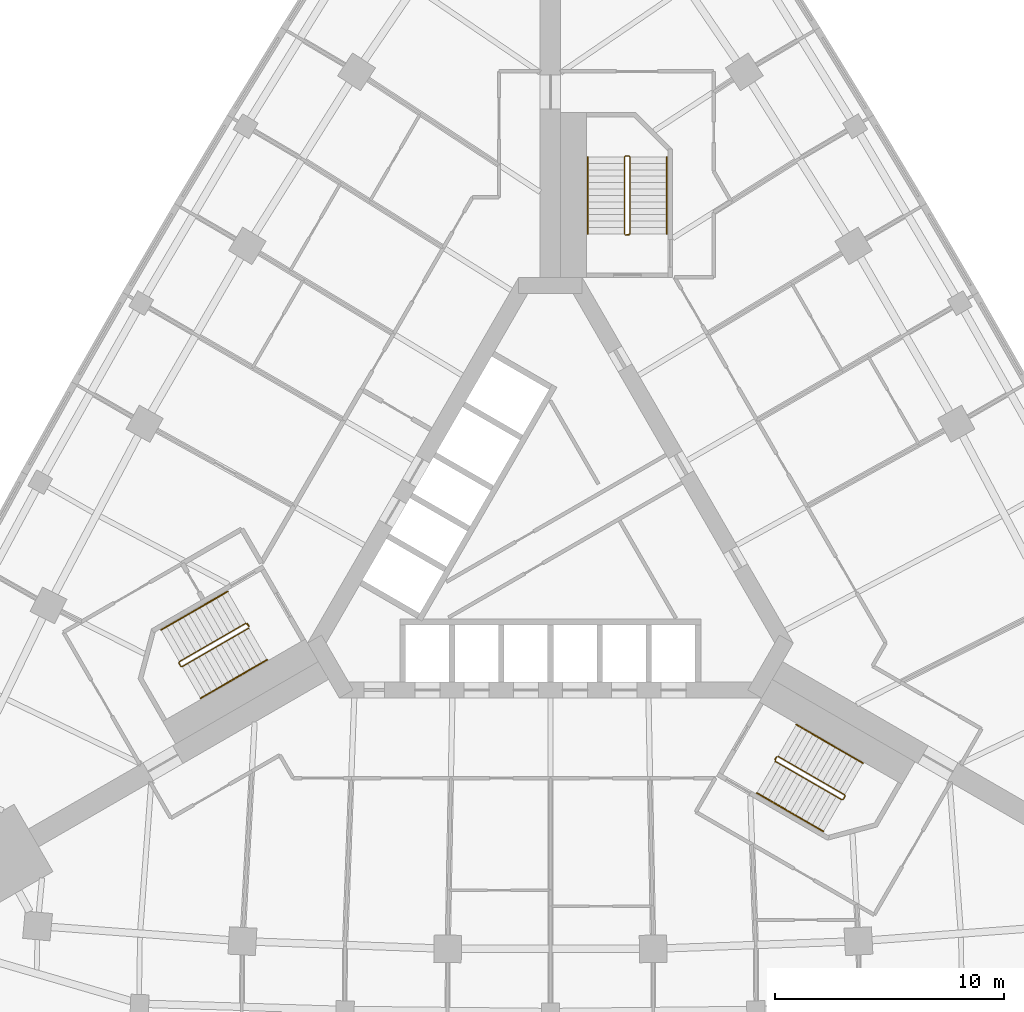
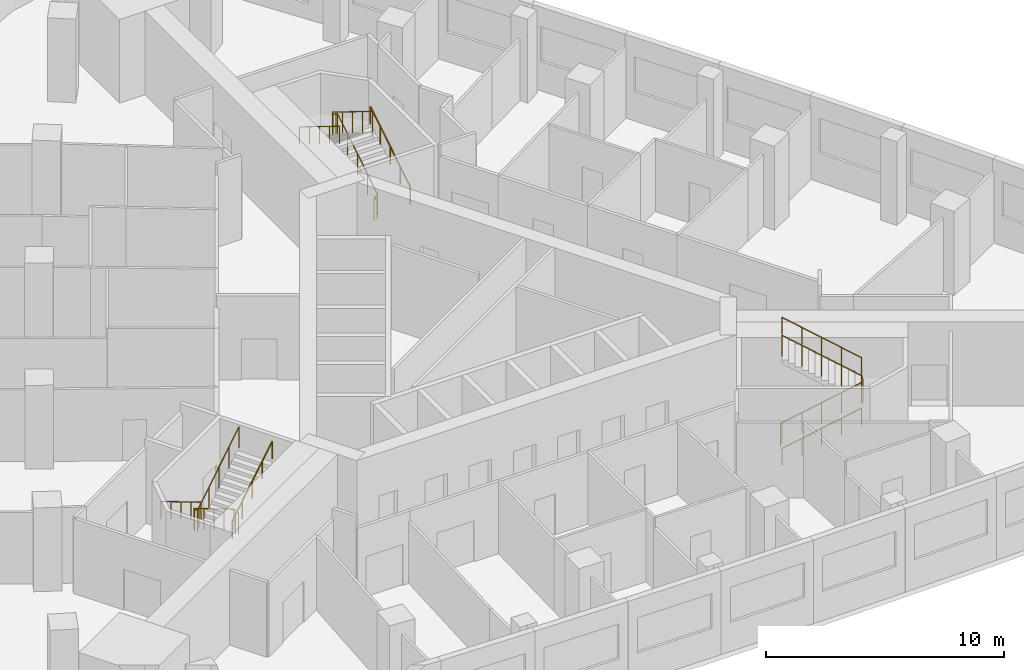
# One storey, part 11 of 11: 9 railings.
"""IFC4 building model written with IfcOpenShell, lengths in metres."""

from ifc_helpers import new_model, si_unit, direction, frame, origin, origin_2d, place, context, subcontext, project, spatial, circle, extrude, material, type_object, element, save


model = new_model("IFC4")

# Units and contexts
model_context = context("Model", 3, precision=1e-05, world=origin(), true_north=direction((0.0, 1.0)))
body_context = subcontext(model_context, "Body", "Model", "MODEL_VIEW")
ifc_project = project(units=[si_unit("LENGTHUNIT", "METRE"), si_unit("AREAUNIT", "SQUARE_METRE"), si_unit("VOLUMEUNIT", "CUBIC_METRE"), si_unit("PLANEANGLEUNIT", "RADIAN"), si_unit("MASSUNIT", "GRAM", prefix="KILO")], contexts=[model_context])

# Site, building, storey
site_placement = place(None, origin())
site = spatial("IfcSite", under=ifc_project, at=site_placement, CompositionType="ELEMENT")
building_placement = place(site_placement, origin())
building = spatial("IfcBuilding", under=site, at=building_placement, Name="Noor Cloister Tower", CompositionType="ELEMENT")
storey_placement = place(building_placement, frame((0.0, 0.0, 19.5)))
storey = spatial("IfcBuildingStorey", under=building, at=storey_placement, Name="L04", CompositionType="ELEMENT", Elevation=19.5)

# Railings
ifc_material_1 = material(Name="Stainless steel", Category="steel")
railing_type_1 = type_object("IfcRailingType", Name="Stair guard 1100", PredefinedType="GUARDRAIL", material=ifc_material_1)
railing_1_placement = place(storey_placement, frame((3.435546875, 13.306396484375, 0.0)))
element("IfcRailing", 1, at=railing_1_placement, inside=storey, type_object=railing_type_1, Name="Stair guard ST1 L04", PredefinedType="GUARDRAIL", context=body_context, shape_type="SweptSolid", body=[
    extrude(circle(Radius=0.02392578125, at=origin_2d()), frame((0.0, 0.0, 1.076171875), z_axis=(-1.0, 0.0, 0.0), x_axis=(0.0, -1.0, 0.0)), (0.0, 0.0, 1.0), 0.14990234375),
    extrude(circle(Radius=0.02392578125, at=origin_2d()), frame((-0.14990234375, 0.0, 1.076171875), z_axis=(0.742869136974, 0.185944045274, 0.643094283413), x_axis=(-0.242814311512, 0.970072785993, 0.0)), (0.0, 0.0, 1.0), 0.26904296875),
    extrude(circle(Radius=0.02392578125, at=origin_2d()), frame((0.050048828125, 0.050048828125, 1.2490234375), z_axis=(0.0, 0.850606129759, 0.525803396734), x_axis=(-1.0, 0.0, 0.0)), (0.0, 0.0, 1.0), 3.949951171875),
    extrude(circle(Radius=0.02392578125, at=origin_2d()), frame((0.050048828125, 3.409912109375, 3.326171875), z_axis=(-0.707106781187, 0.707106781187, 0.0), x_axis=(-0.707106781187, -0.707106781187, 0.0)), (0.0, 0.0, 1.0), 0.07080078125),
    extrude(circle(Radius=0.02392578125, at=origin_2d()), frame((0.0, 3.4599609375, 3.326171875), z_axis=(-1.0, 0.0, 0.0), x_axis=(0.0, -1.0, 0.0)), (0.0, 0.0, 1.0), 0.14990234375),
    extrude(circle(Radius=0.02392578125, at=origin_2d()), frame((-0.14990234375, 3.4599609375, 3.326171875), z_axis=(-0.267629722418, -0.267629722418, 0.925607186314), x_axis=(0.707106781187, -0.707106781187, 0.0)), (0.0, 0.0, 1.0), 0.18701171875),
    extrude(circle(Radius=0.02392578125, at=origin_2d()), frame((-0.199951171875, 3.409912109375, 3.4990234375), z_axis=(0.0, -0.850606129759, 0.525803396734), x_axis=(1.0, 0.0, 0.0)), (0.0, 0.0, 1.0), 3.949951171875),
    extrude(circle(Radius=0.02099609375, at=origin_2d()), origin(), (0.0, 0.0, 1.0), 1.052001953125),
    extrude(circle(Radius=0.02099609375, at=origin_2d()), frame((-0.14990234375, 0.0, 0.0)), (0.0, 0.0, 1.0), 1.052001953125),
    extrude(circle(Radius=0.02099609375, at=origin_2d()), frame((0.050048828125, 0.050048828125, 0.173095703125)), (0.0, 0.0, 1.0), 1.052001953125),
    extrude(circle(Radius=0.02099609375, at=origin_2d()), frame((0.050048828125, 0.89013671875, 0.6923828125)), (0.0, 0.0, 1.0), 1.052001953125),
    extrude(circle(Radius=0.02099609375, at=origin_2d()), frame((0.050048828125, 1.72998046875, 1.21142578125)), (0.0, 0.0, 1.0), 1.052001953125),
    extrude(circle(Radius=0.02099609375, at=origin_2d()), frame((0.050048828125, 2.56982421875, 1.730712890625)), (0.0, 0.0, 1.0), 1.052001953125),
    extrude(circle(Radius=0.02099609375, at=origin_2d()), frame((0.050048828125, 3.409912109375, 2.25)), (0.0, 0.0, 1.0), 1.052001953125),
    extrude(circle(Radius=0.02099609375, at=origin_2d()), frame((0.0, 3.4599609375, 2.25)), (0.0, 0.0, 1.0), 1.052001953125),
    extrude(circle(Radius=0.02099609375, at=origin_2d()), frame((-0.14990234375, 3.4599609375, 2.25)), (0.0, 0.0, 1.0), 1.052001953125),
    extrude(circle(Radius=0.02099609375, at=origin_2d()), frame((-0.199951171875, 3.409912109375, 2.423095703125)), (0.0, 0.0, 1.0), 1.052001953125),
    extrude(circle(Radius=0.02099609375, at=origin_2d()), frame((-0.199951171875, 2.56982421875, 2.9423828125)), (0.0, 0.0, 1.0), 1.052001953125),
    extrude(circle(Radius=0.02099609375, at=origin_2d()), frame((-0.199951171875, 1.72998046875, 3.46142578125)), (0.0, 0.0, 1.0), 1.052001953125),
    extrude(circle(Radius=0.02099609375, at=origin_2d()), frame((-0.199951171875, 0.89013671875, 3.980712890625)), (0.0, 0.0, 1.0), 1.052001953125),
    extrude(circle(Radius=0.02099609375, at=origin_2d()), frame((-0.199951171875, 0.050048828125, 4.5)), (0.0, 0.0, 1.0), 1.052001953125),
])
railing_2_placement = place(storey_placement, frame((-13.241455078125, -3.677734375, 0.0)))
element("IfcRailing", 2, at=railing_2_placement, inside=storey, type_object=railing_type_1, Name="Stair guard ST2 L04", PredefinedType="GUARDRAIL", context=body_context, shape_type="SweptSolid", body=[
    extrude(circle(Radius=0.02392578125, at=origin_2d()), frame((0.0, 0.0, 1.076171875), z_axis=(0.499112439033, -0.866537231285, 0.0), x_axis=(0.866537231285, 0.499112439033, 0.0)), (0.0, 0.0, 1.0), 0.150146484375),
    extrude(circle(Radius=0.02392578125, at=origin_2d()), frame((0.074951171875, -0.130126953125, 1.076171875), z_axis=(-0.532384093884, 0.550523245294, 0.643032917485), x_axis=(-0.718850276695, -0.695164929852, 0.0)), (0.0, 0.0, 1.0), 0.269287109375),
    extrude(circle(Radius=0.02392578125, at=origin_2d()), frame((-0.068359375, 0.01806640625, 1.2490234375), z_axis=(-0.736667954249, -0.425288379326, 0.525785240943), x_axis=(0.499976138585, -0.866039179741, 0.0)), (0.0, 0.0, 1.0), 3.9501953125),
    extrude(circle(Radius=0.02392578125, at=origin_2d()), frame((-2.978271484375, -1.661865234375, 3.326171875), z_axis=(-0.258736085224, -0.965948051503, 0.0), x_axis=(0.965948051503, -0.258736085224, 0.0)), (0.0, 0.0, 1.0), 0.07080078125),
    extrude(circle(Radius=0.02392578125, at=origin_2d()), frame((-2.99658203125, -1.730224609375, 3.326171875), z_axis=(0.501036270542, -0.865426285481, 0.0), x_axis=(0.865426285481, 0.501036270542, 0.0)), (0.0, 0.0, 1.0), 0.150146484375),
    extrude(circle(Radius=0.02392578125, at=origin_2d()), frame((-2.92138671875, -1.860107421875, 3.326171875), z_axis=(0.364418931161, -0.097962078269, 0.926068179905), x_axis=(0.259601060869, 0.965715946433, 0.0)), (0.0, 0.0, 1.0), 0.18701171875),
    extrude(circle(Radius=0.02392578125, at=origin_2d()), frame((-2.853271484375, -1.87841796875, 3.4990234375), z_axis=(0.736648589954, 0.42533900462, 0.52577141998), x_axis=(-0.500030632641, 0.866007717299, 0.0)), (0.0, 0.0, 1.0), 3.9501953125),
    extrude(circle(Radius=0.02099609375, at=origin_2d()), origin(), (0.0, 0.0, 1.0), 1.052001953125),
    extrude(circle(Radius=0.02099609375, at=origin_2d()), frame((0.074951171875, -0.130126953125, 0.0)), (0.0, 0.0, 1.0), 1.052001953125),
    extrude(circle(Radius=0.02099609375, at=origin_2d()), frame((-0.068359375, 0.01806640625, 0.173095703125)), (0.0, 0.0, 1.0), 1.052001953125),
    extrude(circle(Radius=0.02099609375, at=origin_2d()), frame((-0.7958984375, -0.40185546875, 0.6923828125)), (0.0, 0.0, 1.0), 1.052001953125),
    extrude(circle(Radius=0.02099609375, at=origin_2d()), frame((-1.5234375, -0.82177734375, 1.21142578125)), (0.0, 0.0, 1.0), 1.052001953125),
    extrude(circle(Radius=0.02099609375, at=origin_2d()), frame((-2.250732421875, -1.241943359375, 1.730712890625)), (0.0, 0.0, 1.0), 1.052001953125),
    extrude(circle(Radius=0.02099609375, at=origin_2d()), frame((-2.978271484375, -1.661865234375, 2.25)), (0.0, 0.0, 1.0), 1.052001953125),
    extrude(circle(Radius=0.02099609375, at=origin_2d()), frame((-2.99658203125, -1.730224609375, 2.25)), (0.0, 0.0, 1.0), 1.052001953125),
    extrude(circle(Radius=0.02099609375, at=origin_2d()), frame((-2.92138671875, -1.860107421875, 2.25)), (0.0, 0.0, 1.0), 1.052001953125),
    extrude(circle(Radius=0.02099609375, at=origin_2d()), frame((-2.853271484375, -1.87841796875, 2.423095703125)), (0.0, 0.0, 1.0), 1.052001953125),
    extrude(circle(Radius=0.02099609375, at=origin_2d()), frame((-2.125732421875, -1.45849609375, 2.9423828125)), (0.0, 0.0, 1.0), 1.052001953125),
    extrude(circle(Radius=0.02099609375, at=origin_2d()), frame((-1.3984375, -1.038330078125, 3.46142578125)), (0.0, 0.0, 1.0), 1.052001953125),
    extrude(circle(Radius=0.02099609375, at=origin_2d()), frame((-0.6708984375, -0.6181640625, 3.980712890625)), (0.0, 0.0, 1.0), 1.052001953125),
    extrude(circle(Radius=0.02099609375, at=origin_2d()), frame((0.056640625, -0.1982421875, 4.5)), (0.0, 0.0, 1.0), 1.052001953125),
])
railing_3_placement = place(storey_placement, frame((9.805908203125, -9.628662109375, 0.0)))
element("IfcRailing", 3, at=railing_3_placement, inside=storey, type_object=railing_type_1, Name="Stair guard ST3 L04", PredefinedType="GUARDRAIL", context=body_context, shape_type="SweptSolid", body=[
    extrude(circle(Radius=0.02392578125, at=origin_2d()), frame((0.0, 0.0, 1.076171875), z_axis=(0.499112439033, 0.866537231285, 0.0), x_axis=(-0.866537231285, 0.499112439033, 0.0)), (0.0, 0.0, 1.0), 0.150146484375),
    extrude(circle(Radius=0.02392578125, at=origin_2d()), frame((0.074951171875, 0.130126953125, 1.076171875), z_axis=(-0.210401176497, -0.736404117741, 0.642993250589), x_axis=(0.961523947641, -0.274721127897, 0.0)), (0.0, 0.0, 1.0), 0.269287109375),
    extrude(circle(Radius=0.02392578125, at=origin_2d()), frame((0.018310546875, -0.068115234375, 1.2490234375), z_axis=(0.736648589954, -0.42533900462, 0.52577141998), x_axis=(0.500030632641, 0.866007717299, 0.0)), (0.0, 0.0, 1.0), 3.9501953125),
    extrude(circle(Radius=0.02392578125, at=origin_2d()), frame((2.92822265625, -1.748291015625, 3.326171875), z_axis=(0.965715946433, 0.259601060869, 0.0), x_axis=(-0.259601060869, 0.965715946433, 0.0)), (0.0, 0.0, 1.0), 0.070556640625),
    extrude(circle(Radius=0.02392578125, at=origin_2d()), frame((2.996337890625, -1.72998046875, 3.326171875), z_axis=(0.499816412211, 0.866131372301, 0.0), x_axis=(-0.866131372301, 0.499816412211, 0.0)), (0.0, 0.0, 1.0), 0.14990234375),
    extrude(circle(Radius=0.02392578125, at=origin_2d()), frame((3.0712890625, -1.60009765625, 3.326171875), z_axis=(-0.096622130353, 0.365597249983, 0.925744465136), x_axis=(-0.966805641264, -0.255512919477, 0.0)), (0.0, 0.0, 1.0), 0.18701171875),
    extrude(circle(Radius=0.02392578125, at=origin_2d()), frame((3.05322265625, -1.53173828125, 3.4990234375), z_axis=(-0.736667954249, 0.425288379326, 0.525785240943), x_axis=(-0.499976138585, -0.866039179741, 0.0)), (0.0, 0.0, 1.0), 3.9501953125),
    extrude(circle(Radius=0.02099609375, at=origin_2d()), origin(), (0.0, 0.0, 1.0), 1.052001953125),
    extrude(circle(Radius=0.02099609375, at=origin_2d()), frame((0.074951171875, 0.130126953125, 0.0)), (0.0, 0.0, 1.0), 1.052001953125),
    extrude(circle(Radius=0.02099609375, at=origin_2d()), frame((0.018310546875, -0.068115234375, 0.173095703125)), (0.0, 0.0, 1.0), 1.052001953125),
    extrude(circle(Radius=0.02099609375, at=origin_2d()), frame((0.745849609375, -0.48828125, 0.6923828125)), (0.0, 0.0, 1.0), 1.052001953125),
    extrude(circle(Radius=0.02099609375, at=origin_2d()), frame((1.47314453125, -0.908203125, 1.21142578125)), (0.0, 0.0, 1.0), 1.052001953125),
    extrude(circle(Radius=0.02099609375, at=origin_2d()), frame((2.20068359375, -1.328125, 1.730712890625)), (0.0, 0.0, 1.0), 1.052001953125),
    extrude(circle(Radius=0.02099609375, at=origin_2d()), frame((2.92822265625, -1.748291015625, 2.25)), (0.0, 0.0, 1.0), 1.052001953125),
    extrude(circle(Radius=0.02099609375, at=origin_2d()), frame((2.996337890625, -1.72998046875, 2.25)), (0.0, 0.0, 1.0), 1.052001953125),
    extrude(circle(Radius=0.02099609375, at=origin_2d()), frame((3.0712890625, -1.60009765625, 2.25)), (0.0, 0.0, 1.0), 1.052001953125),
    extrude(circle(Radius=0.02099609375, at=origin_2d()), frame((3.05322265625, -1.53173828125, 2.423095703125)), (0.0, 0.0, 1.0), 1.052001953125),
    extrude(circle(Radius=0.02099609375, at=origin_2d()), frame((2.32568359375, -1.11181640625, 2.9423828125)), (0.0, 0.0, 1.0), 1.052001953125),
    extrude(circle(Radius=0.02099609375, at=origin_2d()), frame((1.59814453125, -0.69189453125, 3.46142578125)), (0.0, 0.0, 1.0), 1.052001953125),
    extrude(circle(Radius=0.02099609375, at=origin_2d()), frame((0.870849609375, -0.271728515625, 3.980712890625)), (0.0, 0.0, 1.0), 1.052001953125),
    extrude(circle(Radius=0.02099609375, at=origin_2d()), frame((0.143310546875, 0.148193359375, 4.5)), (0.0, 0.0, 1.0), 1.052001953125),
])
ifc_material_2 = material(Name="Stainless steel", Category="steel")
railing_type_2 = type_object("IfcRailingType", Name="Stair handrail 900", PredefinedType="HANDRAIL", material=ifc_material_2)
railing_4_placement = place(storey_placement, frame((5.085693359375, 13.3564453125, 0.173095703125)))
element("IfcRailing", 4, at=railing_4_placement, inside=storey, type_object=railing_type_2, Name="Stair handrail ST1 L04 1", PredefinedType="HANDRAIL", context=body_context, shape_type="SweptSolid", body=[
    extrude(circle(Radius=0.02392578125, at=origin_2d()), frame((0.0, 0.0, 0.8759765625), z_axis=(0.0, 0.850606129759, 0.525803396734), x_axis=(-1.0, 0.0, 0.0)), (0.0, 0.0, 1.0), 3.949951171875),
    extrude(circle(Radius=0.02099609375, at=origin_2d()), origin(), (0.0, 0.0, 1.0), 0.851806640625),
    extrude(circle(Radius=0.02099609375, at=origin_2d()), frame((0.0, 0.83984375, 0.519287109375)), (0.0, 0.0, 1.0), 0.851806640625),
    extrude(circle(Radius=0.02099609375, at=origin_2d()), frame((0.0, 1.679931640625, 1.03857421875)), (0.0, 0.0, 1.0), 0.851806640625),
    extrude(circle(Radius=0.02099609375, at=origin_2d()), frame((0.0, 2.52001953125, 1.5576171875)), (0.0, 0.0, 1.0), 0.851806640625),
    extrude(circle(Radius=0.02099609375, at=origin_2d()), frame((0.0, 3.35986328125, 2.076904296875)), (0.0, 0.0, 1.0), 0.851806640625),
])
railing_5_placement = place(storey_placement, frame((1.6357421875, 16.71630859375, 2.423095703125)))
element("IfcRailing", 5, at=railing_5_placement, inside=storey, type_object=railing_type_2, Name="Stair handrail ST1 L04 2", PredefinedType="HANDRAIL", context=body_context, shape_type="SweptSolid", body=[
    extrude(circle(Radius=0.02392578125, at=origin_2d()), frame((0.0, 0.0, 0.8759765625), z_axis=(0.0, -0.850606129759, 0.525803396734), x_axis=(1.0, 0.0, 0.0)), (0.0, 0.0, 1.0), 3.949951171875),
    extrude(circle(Radius=0.02099609375, at=origin_2d()), origin(), (0.0, 0.0, 1.0), 0.851806640625),
    extrude(circle(Radius=0.02099609375, at=origin_2d()), frame((0.0, -0.83984375, 0.519287109375)), (0.0, 0.0, 1.0), 0.851806640625),
    extrude(circle(Radius=0.02099609375, at=origin_2d()), frame((0.0, -1.679931640625, 1.03857421875)), (0.0, 0.0, 1.0), 0.851806640625),
    extrude(circle(Radius=0.02099609375, at=origin_2d()), frame((0.0, -2.52001953125, 1.5576171875)), (0.0, 0.0, 1.0), 0.851806640625),
    extrude(circle(Radius=0.02099609375, at=origin_2d()), frame((0.0, -3.35986328125, 2.076904296875)), (0.0, 0.0, 1.0), 0.851806640625),
])
railing_6_placement = place(storey_placement, frame((-14.10986328125, -2.27392578125, 0.173095703125)))
element("IfcRailing", 6, at=railing_6_placement, inside=storey, type_object=railing_type_2, Name="Stair handrail ST2 L04 1", PredefinedType="HANDRAIL", context=body_context, shape_type="SweptSolid", body=[
    extrude(circle(Radius=0.02392578125, at=origin_2d()), frame((0.0, 0.0, 0.8759765625), z_axis=(-0.736639687092, -0.425307743487, 0.525809180911), x_axis=(0.500007602105, -0.866021014662, 0.0)), (0.0, 0.0, 1.0), 3.949951171875),
    extrude(circle(Radius=0.02099609375, at=origin_2d()), origin(), (0.0, 0.0, 1.0), 0.851806640625),
    extrude(circle(Radius=0.02099609375, at=origin_2d()), frame((-0.7275390625, -0.419921875, 0.519287109375)), (0.0, 0.0, 1.0), 0.851806640625),
    extrude(circle(Radius=0.02099609375, at=origin_2d()), frame((-1.454833984375, -0.83984375, 1.03857421875)), (0.0, 0.0, 1.0), 0.851806640625),
    extrude(circle(Radius=0.02099609375, at=origin_2d()), frame((-2.18212890625, -1.260009765625, 1.5576171875)), (0.0, 0.0, 1.0), 0.851806640625),
    extrude(circle(Radius=0.02099609375, at=origin_2d()), frame((-2.90966796875, -1.679931640625, 2.076904296875)), (0.0, 0.0, 1.0), 0.851806640625),
])
railing_7_placement = place(storey_placement, frame((-15.294677734375, -6.941650390625, 2.423095703125)))
element("IfcRailing", 7, at=railing_7_placement, inside=storey, type_object=railing_type_2, Name="Stair handrail ST2 L04 2", PredefinedType="HANDRAIL", context=body_context, shape_type="SweptSolid", body=[
    extrude(circle(Radius=0.02392578125, at=origin_2d()), frame((0.0, 0.0, 0.8759765625), z_axis=(0.736667954249, 0.425288379326, 0.525785240943), x_axis=(-0.499976138585, 0.866039179741, 0.0)), (0.0, 0.0, 1.0), 3.9501953125),
    extrude(circle(Radius=0.02099609375, at=origin_2d()), origin(), (0.0, 0.0, 1.0), 0.851806640625),
    extrude(circle(Radius=0.02099609375, at=origin_2d()), frame((0.7275390625, 0.419921875, 0.519287109375)), (0.0, 0.0, 1.0), 0.851806640625),
    extrude(circle(Radius=0.02099609375, at=origin_2d()), frame((1.455078125, 0.83984375, 1.03857421875)), (0.0, 0.0, 1.0), 0.851806640625),
    extrude(circle(Radius=0.02099609375, at=origin_2d()), frame((2.182373046875, 1.260009765625, 1.5576171875)), (0.0, 0.0, 1.0), 0.851806640625),
    extrude(circle(Radius=0.02099609375, at=origin_2d()), frame((2.909912109375, 1.679931640625, 2.076904296875)), (0.0, 0.0, 1.0), 0.851806640625),
])
railing_8_placement = place(storey_placement, frame((9.024169921875, -11.08251953125, 0.173095703125)))
element("IfcRailing", 8, at=railing_8_placement, inside=storey, type_object=railing_type_2, Name="Stair handrail ST3 L04 1", PredefinedType="HANDRAIL", context=body_context, shape_type="SweptSolid", body=[
    extrude(circle(Radius=0.02392578125, at=origin_2d()), frame((0.0, 0.0, 0.8759765625), z_axis=(0.736667954249, -0.425288379326, 0.525785240943), x_axis=(0.499976138585, 0.866039179741, 0.0)), (0.0, 0.0, 1.0), 3.9501953125),
    extrude(circle(Radius=0.02099609375, at=origin_2d()), origin(), (0.0, 0.0, 1.0), 0.851806640625),
    extrude(circle(Radius=0.02099609375, at=origin_2d()), frame((0.7275390625, -0.419921875, 0.519287109375)), (0.0, 0.0, 1.0), 0.851806640625),
    extrude(circle(Radius=0.02099609375, at=origin_2d()), frame((1.455078125, -0.83984375, 1.03857421875)), (0.0, 0.0, 1.0), 0.851806640625),
    extrude(circle(Radius=0.02099609375, at=origin_2d()), frame((2.182373046875, -1.260009765625, 1.5576171875)), (0.0, 0.0, 1.0), 0.851806640625),
    extrude(circle(Radius=0.02099609375, at=origin_2d()), frame((2.909912109375, -1.679931640625, 2.076904296875)), (0.0, 0.0, 1.0), 0.851806640625),
])
railing_9_placement = place(storey_placement, frame((13.658935546875, -9.774658203125, 2.423095703125)))
element("IfcRailing", 9, at=railing_9_placement, inside=storey, type_object=railing_type_2, Name="Stair handrail ST3 L04 2", PredefinedType="HANDRAIL", context=body_context, shape_type="SweptSolid", body=[
    extrude(circle(Radius=0.02392578125, at=origin_2d()), frame((0.0, 0.0, 0.8759765625), z_axis=(-0.736639687092, 0.425307743487, 0.525809180911), x_axis=(-0.500007602105, -0.866021014662, 0.0)), (0.0, 0.0, 1.0), 3.949951171875),
    extrude(circle(Radius=0.02099609375, at=origin_2d()), origin(), (0.0, 0.0, 1.0), 0.851806640625),
    extrude(circle(Radius=0.02099609375, at=origin_2d()), frame((-0.7275390625, 0.419921875, 0.519287109375)), (0.0, 0.0, 1.0), 0.851806640625),
    extrude(circle(Radius=0.02099609375, at=origin_2d()), frame((-1.454833984375, 0.83984375, 1.03857421875)), (0.0, 0.0, 1.0), 0.851806640625),
    extrude(circle(Radius=0.02099609375, at=origin_2d()), frame((-2.18212890625, 1.260009765625, 1.5576171875)), (0.0, 0.0, 1.0), 0.851806640625),
    extrude(circle(Radius=0.02099609375, at=origin_2d()), frame((-2.90966796875, 1.679931640625, 2.076904296875)), (0.0, 0.0, 1.0), 0.851806640625),
])

save(model, "model.ifc")
